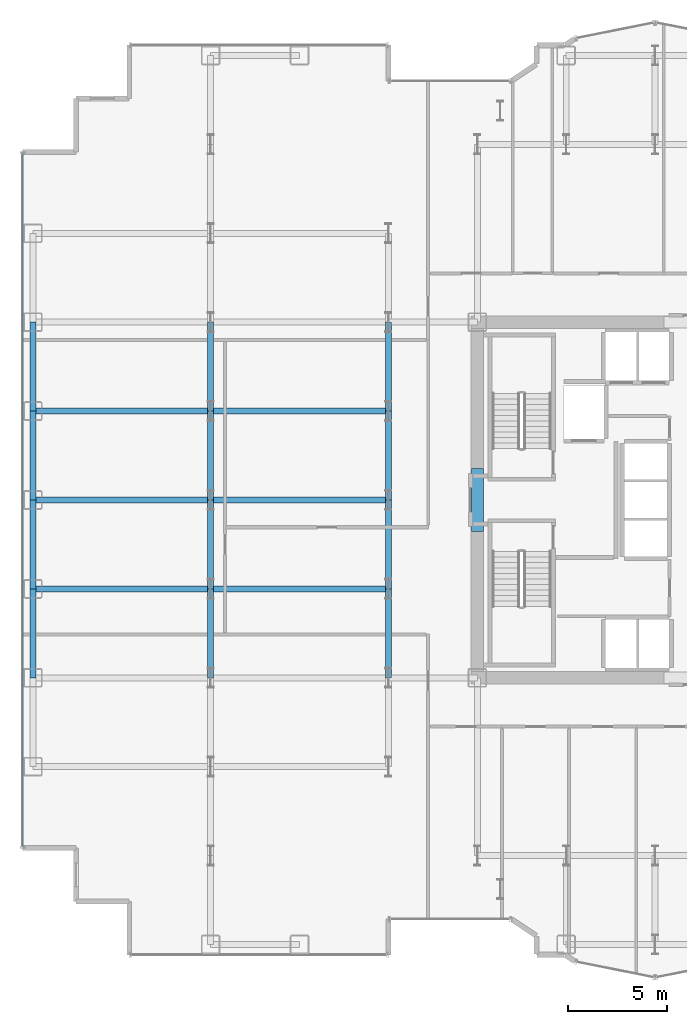
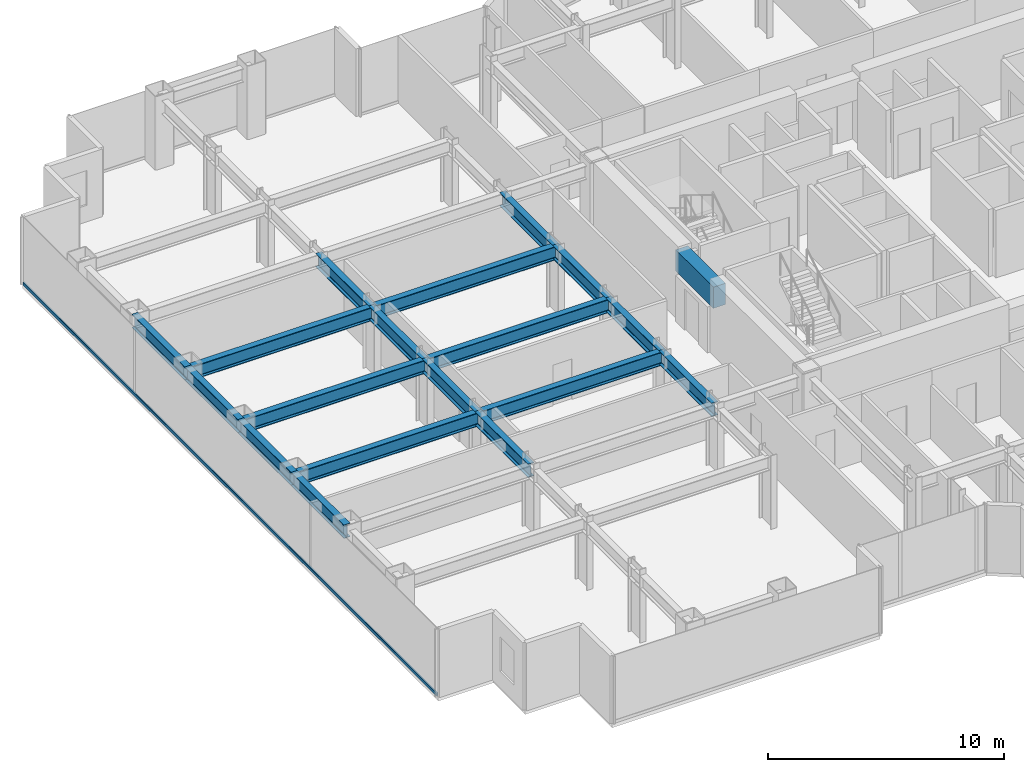
# One storey, part 5 of 26: 19 beams, 1 member, 1 element without a shape of its own.
"""IFC4 building model written with IfcOpenShell, lengths in metres."""

from ifc_helpers import new_model, si_unit, direction, frame, origin, origin_2d, place, context, subcontext, project, spatial, rectangle, hollow_rectangle, i_section, extrude, source, transform, mapped, material, layer, layer_set, material_profile, profile_set, type_object, element, aggregate, save


model = new_model("IFC4")

# Units and contexts
model_context = context("Model", 3, precision=1e-05, world=origin(), true_north=direction((0.0, 1.0)))
body_context = subcontext(model_context, "Body", "Model", "MODEL_VIEW")
ifc_project = project(units=[si_unit("LENGTHUNIT", "METRE"), si_unit("AREAUNIT", "SQUARE_METRE"), si_unit("VOLUMEUNIT", "CUBIC_METRE"), si_unit("PLANEANGLEUNIT", "RADIAN"), si_unit("MASSUNIT", "GRAM", prefix="KILO")], contexts=[model_context])

# Site, building, storey
site_placement = place(None, origin())
site = spatial("IfcSite", under=ifc_project, at=site_placement, CompositionType="ELEMENT")
building_placement = place(site_placement, origin())
building = spatial("IfcBuilding", under=site, at=building_placement, Name="Nefas-Gora Pilgrimage Tower", CompositionType="ELEMENT")
storey_placement = place(building_placement, frame((0.0, 0.0, 82.39990234375)))
storey = spatial("IfcBuildingStorey", under=building, at=storey_placement, Name="L19", CompositionType="ELEMENT", Elevation=82.39990234375)

# Beams
ifc_material_1 = material(Name="Concrete C60/75", Category="concrete")
ifc_material_profile_1 = material_profile(ifc_material_1, rectangle(XDim=0.60009765625, YDim=1.10009765625, at=origin_2d()), Name="RC 600x1100")
ifc_profile_set_1 = profile_set([ifc_material_profile_1], Name="Concrete C60/75")
beam_type_1 = type_object("IfcBeamType", Name="BM-LIN-RC1100", PredefinedType="LINTEL", material=ifc_profile_set_1)
shared_shape_1 = source(origin(), body_context, "Body", "SweptSolid", [
    extrude(rectangle(XDim=0.60009765625, YDim=1.10009765625, at=origin_2d()), origin(), (0.0, 0.0, 1.0), 3.2001953125),
])
beam_placement = place(storey_placement, frame((-11.25, -1.60009765625, 2.9501953125), z_axis=(0.0, 1.0, 0.0), x_axis=(-1.0, 0.0, 0.0)))
element("IfcBeam", 1, at=beam_placement, inside=storey, type_object=beam_type_1, Name="L19 Core Coupling Lintel Beam W", PredefinedType="LINTEL", context=body_context, shape_type="MappedRepresentation", body=[
    mapped(shared_shape_1, transform((0.0, 0.0, 0.0), x_axis=(1.0, 0.0, 0.0), y_axis=(0.0, 1.0, 0.0), z_axis=(0.0, 0.0, 1.0), scale=1.0)),
])
ifc_material_2 = material(Name="Steel S355", Category="steel")
ifc_material_profile_2 = material_profile(ifc_material_2, i_section(OverallWidth=0.300048828125, OverallDepth=0.699951171875, WebThickness=0.01708984375, FlangeThickness=0.031982421875, FilletRadius=0.027099609375, at=origin_2d()), Name="HEB 700")
ifc_profile_set_2 = profile_set([ifc_material_profile_2], Name="Steel S355")
beam_type_2 = type_object("IfcBeamType", Name="BM-SPN-HEB600", PredefinedType="SPANDREL", material=ifc_profile_set_2)
shared_shape_2 = source(origin(), body_context, "Body", "SweptSolid", [
    extrude(i_section(OverallWidth=0.300048828125, OverallDepth=0.699951171875, WebThickness=0.01708984375, FlangeThickness=0.031982421875, FilletRadius=0.027099609375, at=origin_2d()), origin(), (0.0, 0.0, 1.0), 4.5),
])
for number, where, z_axis, x_axis, name in (
    (2, (-33.75, -9.0, 3.150146484375), (0.0, 1.0, 0.0), (-1.0, 0.0, 0.0), "L19 SP-01 beam"),
    (3, (-33.75, -4.5, 3.150146484375), (0.0, 1.0, 0.0), (-1.0, 0.0, 0.0), "L19 SP-01 beam"),
    (4, (-33.75, 0.0, 3.150146484375), (0.0, 1.0, 0.0), (-1.0, 0.0, 0.0), "L19 SP-01 beam"),
    (5, (-33.75, 4.5, 3.150146484375), (0.0, 1.0, 0.0), (-1.0, 0.0, 0.0), "L19 SP-01 beam"),
):
    element("IfcBeam", number, at=place(storey_placement, frame(where, z_axis=z_axis, x_axis=x_axis)), inside=storey, type_object=beam_type_2, Name=name, PredefinedType="SPANDREL", context=body_context, shape_type="MappedRepresentation", body=[
        mapped(shared_shape_2, transform((0.0, 0.0, 0.0), x_axis=(1.0, 0.0, 0.0), y_axis=(0.0, 1.0, 0.0), z_axis=(0.0, 0.0, 1.0), scale=1.0)),
    ])
ifc_material_profile_3 = material_profile(ifc_material_2, i_section(OverallWidth=0.300048828125, OverallDepth=0.699951171875, WebThickness=0.01708984375, FlangeThickness=0.031982421875, FilletRadius=0.027099609375, at=origin_2d()), Name="HEB 700")
ifc_profile_set_3 = profile_set([ifc_material_profile_3], Name="Steel S355")
beam_type_3 = type_object("IfcBeamType", Name="BM-GIR-HEB700", PredefinedType="BEAM", material=ifc_profile_set_3)
shared_shape_3 = source(origin(), body_context, "Body", "SweptSolid", [
    extrude(i_section(OverallWidth=0.300048828125, OverallDepth=0.699951171875, WebThickness=0.01708984375, FlangeThickness=0.031982421875, FilletRadius=0.027099609375, at=origin_2d()), origin(), (0.0, 0.0, 1.0), 9.0),
])
for number, where, z_axis, x_axis, name in (
    (6, (-33.75, -4.5, 3.150146484375), (1.0, 0.0, 0.0), (0.0, 1.0, 0.0), "L19 G-02 beam"),
    (7, (-33.75, 0.0, 3.150146484375), (1.0, 0.0, 0.0), (0.0, 1.0, 0.0), "L19 G-02 beam"),
    (8, (-33.75, 4.5, 3.150146484375), (1.0, 0.0, 0.0), (0.0, 1.0, 0.0), "L19 G-02 beam"),
    (9, (-24.75, -4.5, 3.150146484375), (1.0, 0.0, 0.0), (0.0, 1.0, 0.0), "L19 G-02 beam"),
    (10, (-24.75, 0.0, 3.150146484375), (1.0, 0.0, 0.0), (0.0, 1.0, 0.0), "L19 G-02 beam"),
    (11, (-24.75, 4.5, 3.150146484375), (1.0, 0.0, 0.0), (0.0, 1.0, 0.0), "L19 G-02 beam"),
):
    element("IfcBeam", number, at=place(storey_placement, frame(where, z_axis=z_axis, x_axis=x_axis)), inside=storey, type_object=beam_type_3, Name=name, PredefinedType="BEAM", context=body_context, shape_type="MappedRepresentation", body=[
        mapped(shared_shape_3, transform((0.0, 0.0, 0.0), x_axis=(1.0, 0.0, 0.0), y_axis=(0.0, 1.0, 0.0), z_axis=(0.0, 0.0, 1.0), scale=1.0)),
    ])
shared_shape_4 = source(origin(), body_context, "Body", "SweptSolid", [
    extrude(i_section(OverallWidth=0.300048828125, OverallDepth=0.699951171875, WebThickness=0.01708984375, FlangeThickness=0.031982421875, FilletRadius=0.027099609375, at=origin_2d()), origin(), (0.0, 0.0, 1.0), 4.5),
])
for number, where, z_axis, x_axis, name in (
    (12, (-24.75, -9.0, 3.150146484375), (0.0, 1.0, 0.0), (-1.0, 0.0, 0.0), "L19 G-02 beam"),
    (13, (-24.75, -4.5, 3.150146484375), (0.0, 1.0, 0.0), (-1.0, 0.0, 0.0), "L19 G-02 beam"),
    (14, (-24.75, 0.0, 3.150146484375), (0.0, 1.0, 0.0), (-1.0, 0.0, 0.0), "L19 G-02 beam"),
    (15, (-24.75, 4.5, 3.150146484375), (0.0, 1.0, 0.0), (-1.0, 0.0, 0.0), "L19 G-02 beam"),
    (16, (-15.75, -9.0, 3.150146484375), (0.0, 1.0, 0.0), (-1.0, 0.0, 0.0), "L19 G-02 beam"),
    (17, (-15.75, -4.5, 3.150146484375), (0.0, 1.0, 0.0), (-1.0, 0.0, 0.0), "L19 G-02 beam"),
    (18, (-15.75, 0.0, 3.150146484375), (0.0, 1.0, 0.0), (-1.0, 0.0, 0.0), "L19 G-02 beam"),
    (19, (-15.75, 4.5, 3.150146484375), (0.0, 1.0, 0.0), (-1.0, 0.0, 0.0), "L19 G-02 beam"),
):
    element("IfcBeam", number, at=place(storey_placement, frame(where, z_axis=z_axis, x_axis=x_axis)), inside=storey, type_object=beam_type_3, Name=name, PredefinedType="BEAM", context=body_context, shape_type="MappedRepresentation", body=[
        mapped(shared_shape_4, transform((0.0, 0.0, 0.0), x_axis=(1.0, 0.0, 0.0), y_axis=(0.0, 1.0, 0.0), z_axis=(0.0, 0.0, 1.0), scale=1.0)),
    ])

# Curtain wall, member
ifc_material_3 = material(Name="Dark ceramic-fritted solar-control aluminium-glass curtain wall", Category="aluminium")
ifc_layer = layer(ifc_material_3, 0.219970703125)
ifc_layer_set = layer_set([ifc_layer], Name="Dark ceramic-fritted solar-control aluminium-glass curtain wall")
curtain_wall_type = type_object("IfcCurtainWallType", Name="CW-SYS-2", PredefinedType="NOTDEFINED", material=ifc_layer_set)
curtain_wall_placement = place(storey_placement, origin())
curtain_wall = element("IfcCurtainWall", 20, at=curtain_wall_placement, inside=storey, type_object=curtain_wall_type, Name="L19 Unitised Curtain Wall CW2", PredefinedType="NOTDEFINED")
ifc_material_4 = material(Name="Anodised architectural aluminium", Category="aluminium")
ifc_material_profile_4 = material_profile(ifc_material_4, hollow_rectangle(XDim=0.080078125, YDim=0.159912109375, WallThickness=0.00439453125, InnerFilletRadius=0.00439453125, OuterFilletRadius=0.009033203125, at=origin_2d()), Name="ALU TRANSOM 80x160")
ifc_profile_set_4 = profile_set([ifc_material_profile_4], Name="Anodised architectural aluminium")
member_type = type_object("IfcMemberType", Name="CWM-TRN-2", PredefinedType="USERDEFINED", material=ifc_profile_set_4)
shared_shape_5 = source(origin(), body_context, "Body", "SweptSolid", [
    extrude(hollow_rectangle(XDim=0.080078125, YDim=0.159912109375, WallThickness=0.00439453125, InnerFilletRadius=0.00439453125, OuterFilletRadius=0.009033203125, at=origin_2d()), origin(), (0.0, 0.0, 1.0), 35.06005859375),
])
member_placement = place(storey_placement, frame((-34.27001953125, 17.530029296875, 0.050048828125), z_axis=(0.0, -1.0, 0.0), x_axis=(1.0, 0.0, 0.0)))
member = element("IfcMember", 21, at=member_placement, type_object=member_type, Name="CW2 Spandrel Transom", ObjectType="TRANSOM", PredefinedType="USERDEFINED", context=body_context, shape_type="MappedRepresentation", body=[
    mapped(shared_shape_5, transform((0.0, 0.0, 0.0), x_axis=(1.0, 0.0, 0.0), y_axis=(0.0, 1.0, 0.0), z_axis=(0.0, 0.0, 1.0), scale=1.0)),
])
aggregate(curtain_wall, [member])

save(model, "model.ifc")
